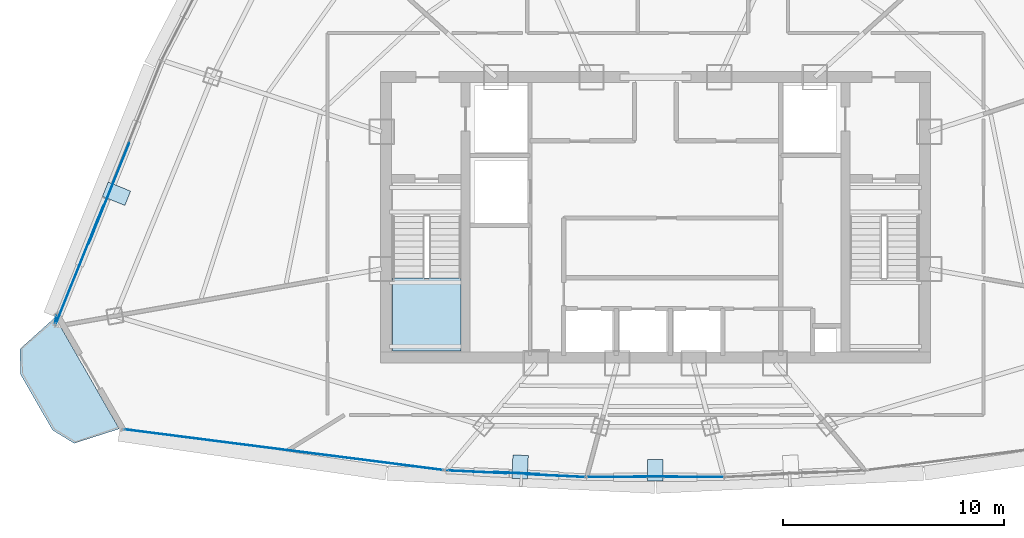
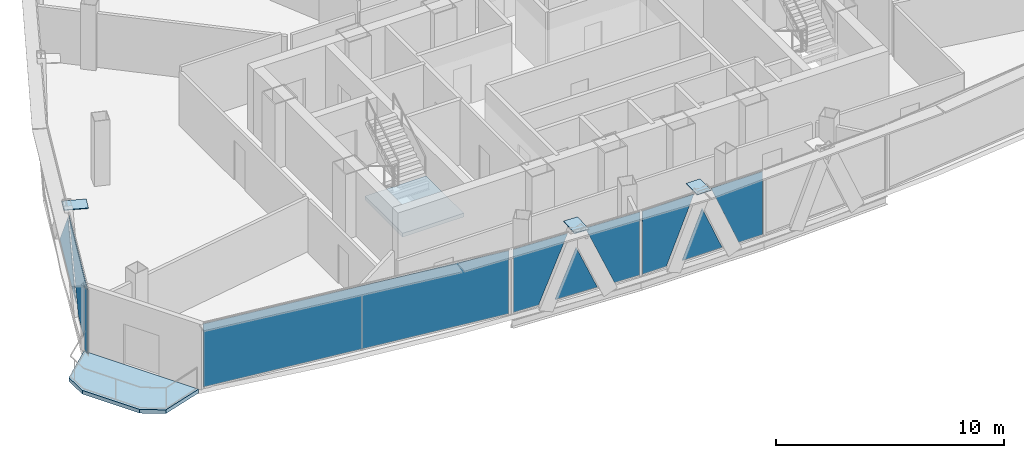
# One storey, part 22 of 30: 13 plates, 2 slabs, 6 elements without a shape of their own.
"""IFC4 building model written with IfcOpenShell, lengths in metres."""

from ifc_helpers import new_model, si_unit, direction, frame, origin, origin_2d, place, context, subcontext, project, spatial, polyline, rectangle, outline, extrude, source, transform, mapped, material, layer, layer_set, type_object, element, aggregate, save


model = new_model("IFC4")

# Units and contexts
model_context = context("Model", 3, precision=1e-05, world=origin(), true_north=direction((0.0, 1.0)))
body_context = subcontext(model_context, "Body", "Model", "MODEL_VIEW")
ifc_project = project(units=[si_unit("LENGTHUNIT", "METRE"), si_unit("AREAUNIT", "SQUARE_METRE"), si_unit("VOLUMEUNIT", "CUBIC_METRE"), si_unit("PLANEANGLEUNIT", "RADIAN"), si_unit("MASSUNIT", "GRAM", prefix="KILO"), si_unit("THERMODYNAMICTEMPERATUREUNIT", "KELVIN"), si_unit("POWERUNIT", "WATT")], contexts=[model_context])

# Site, building, storey
site_placement = place(None, origin())
site = spatial("IfcSite", under=ifc_project, at=site_placement, CompositionType="ELEMENT")
building_placement = place(site_placement, origin())
building = spatial("IfcBuilding", under=site, at=building_placement, Name="Yunzhuo Pagoda Commons", CompositionType="ELEMENT")
storey_placement = place(building_placement, frame((0.0, 0.0, 355.510009765625)))
storey = spatial("IfcBuildingStorey", under=building, at=storey_placement, Name="L89", CompositionType="ELEMENT", Elevation=355.510009765625)

# Curtain wall, plates
ifc_material_1 = material(Name="Anodized aluminium 6063-T6", Category="aluminium")
ifc_layer_1 = layer(ifc_material_1, 0.139892578125)
ifc_layer_set_1 = layer_set([ifc_layer_1], Name="Anodized aluminium 6063-T6")
curtain_wall_type = type_object("IfcCurtainWallType", Name="CW-HI High-Zone Ribbon Curtain Wall", PredefinedType="NOTDEFINED", material=ifc_layer_set_1)
curtain_wall_1_placement = place(storey_placement, origin())
curtain_wall_1 = element("IfcCurtainWall", 1, at=curtain_wall_1_placement, inside=storey, type_object=curtain_wall_type, Name="L89 curtain wall CW-L89-F1B2", PredefinedType="NOTDEFINED")
ifc_material_2 = material(Name="Tempered low-e double glazing", Category="glass")
ifc_layer_2 = layer(ifc_material_2, 0.02587890625)
ifc_layer_set_2 = layer_set([ifc_layer_2], Name="Tempered low-e double glazing")
plate_type_1 = type_object("IfcPlateType", Name="CW-HI-P Low-E Double Glazing 26", PredefinedType="CURTAIN_PANEL", material=ifc_layer_set_2)
plate_1_placement = place(storey_placement, frame((39.919189453125, 22.339599609375, 1.744873046875), z_axis=(-0.047859147719, -0.99885409444, 0.0), x_axis=(0.99885409444, -0.047859147719, 0.0)))
plate_1 = element("IfcPlate", 2, at=plate_1_placement, type_object=plate_type_1, Name="CW panel 1.1 lite 1", PredefinedType="CURTAIN_PANEL", context=body_context, shape_type="SweptSolid", body=[
    extrude(outline(polyline([(-1.34765625, -1.68994140625), (-0.0908203125, -1.68994140625), (1.34765625, 1.68994140625), (-1.34765625, 1.68994140625), (-1.34765625, -1.68994140625)])), origin(), (0.0, 0.0, 1.0), 0.028076171875),
])
plate_2_placement = place(storey_placement, frame((41.70263671875, 22.284423828125, 1.287353515625), z_axis=(-0.047859147719, -0.99885409444, 0.0), x_axis=(0.99885409444, -0.047859147719, 0.0)))
plate_2 = element("IfcPlate", 3, at=plate_2_placement, type_object=plate_type_1, Name="CW panel 1.1 lite 2", PredefinedType="CURTAIN_PANEL", context=body_context, shape_type="SweptSolid", body=[
    extrude(outline(polyline([(-1.048828125, -1.232421875), (1.048828125, -1.232421875), (0.0, 1.232421875), (-1.048828125, -1.232421875)])), origin(), (0.0, 0.0, 1.0), 0.028076171875),
])
plate_3_placement = place(storey_placement, frame((43.483154296875, 22.1689453125, 1.744873046875), z_axis=(-0.047859147719, -0.99885409444, 0.0), x_axis=(0.99885409444, -0.047859147719, 0.0)))
plate_3 = element("IfcPlate", 4, at=plate_3_placement, type_object=plate_type_1, Name="CW panel 1.1 lite 3", PredefinedType="CURTAIN_PANEL", context=body_context, shape_type="SweptSolid", body=[
    extrude(outline(polyline([(-1.34765625, 1.68994140625), (0.0908203125, -1.68994140625), (1.34765625, -1.68994140625), (1.34765625, 1.68994140625), (-1.34765625, 1.68994140625)])), origin(), (0.0, 0.0, 1.0), 0.028076171875),
])
aggregate(curtain_wall_1, [plate_1, plate_2, plate_3])

curtain_wall_2_placement = place(storey_placement, origin())
curtain_wall_2 = element("IfcCurtainWall", 5, at=curtain_wall_2_placement, inside=storey, type_object=curtain_wall_type, Name="L89 curtain wall CW-L89-F1B3", PredefinedType="NOTDEFINED")
plate_4_placement = place(storey_placement, frame((46.257080078125, 22.1015625, 1.744873046875), z_axis=(0.0, -1.0, 0.0), x_axis=(1.0, 0.0, 0.0)))
plate_4 = element("IfcPlate", 6, at=plate_4_placement, type_object=plate_type_1, Name="CW panel 1.1 lite 1", PredefinedType="CURTAIN_PANEL", context=body_context, shape_type="SweptSolid", body=[
    extrude(outline(polyline([(-1.30859375, -1.68994140625), (-0.09375, -1.68994140625), (1.30859375, 1.68994140625), (-1.30859375, 1.68994140625), (-1.30859375, -1.68994140625)])), origin(), (0.0, 0.0, 1.0), 0.028076171875),
])
plate_5_placement = place(storey_placement, frame((48.0, 22.1318359375, 1.276611328125), z_axis=(0.0, -1.0, 0.0), x_axis=(1.0, 0.0, 0.0)))
plate_5 = element("IfcPlate", 7, at=plate_5_placement, type_object=plate_type_1, Name="CW panel 1.1 lite 2", PredefinedType="CURTAIN_PANEL", context=body_context, shape_type="SweptSolid", body=[
    extrude(outline(polyline([(-1.013671875, -1.2216796875), (1.013671875, -1.2216796875), (0.0, 1.2216796875), (-1.013671875, -1.2216796875)])), origin(), (0.0, 0.0, 1.0), 0.028076171875),
])
plate_6_placement = place(storey_placement, frame((49.742919921875, 22.1015625, 1.744873046875), z_axis=(0.0, -1.0, 0.0), x_axis=(1.0, 0.0, 0.0)))
plate_6 = element("IfcPlate", 8, at=plate_6_placement, type_object=plate_type_1, Name="CW panel 1.1 lite 3", PredefinedType="CURTAIN_PANEL", context=body_context, shape_type="SweptSolid", body=[
    extrude(outline(polyline([(-1.30859375, 1.68994140625), (0.09375, -1.68994140625), (1.30859375, -1.68994140625), (1.30859375, 1.68994140625), (-1.30859375, 1.68994140625)])), origin(), (0.0, 0.0, 1.0), 0.028076171875),
])
aggregate(curtain_wall_2, [plate_4, plate_5, plate_6])

curtain_wall_3_placement = place(storey_placement, origin())
curtain_wall_3 = element("IfcCurtainWall", 9, at=curtain_wall_3_placement, inside=storey, type_object=curtain_wall_type, Name="L89 curtain wall CW-L89-F3B4", PredefinedType="NOTDEFINED")
plate_7_placement = place(storey_placement, frame((23.26708984375, 34.91796875, 1.482177734375), z_axis=(-0.92803921175, 0.372482511608, 0.0), x_axis=(-0.372482511608, -0.92803921175, 0.0)))
plate_7 = element("IfcPlate", 10, at=plate_7_placement, type_object=plate_type_1, Name="CW panel 1.1 lite 2", PredefinedType="CURTAIN_PANEL", context=body_context, shape_type="SweptSolid", body=[
    extrude(outline(polyline([(-2.47265625, -1.42724609375), (2.47265625, -1.42724609375), (0.0, 1.42724609375), (-2.47265625, -1.42724609375)])), origin(), (0.0, 0.0, 1.0), 0.028076171875),
])
plate_8_placement = place(storey_placement, frame((21.93798828125, 31.68701171875, 1.744873046875), z_axis=(-0.92803921175, 0.372482511608, 0.0), x_axis=(-0.372482511608, -0.92803921175, 0.0)))
plate_8 = element("IfcPlate", 11, at=plate_8_placement, type_object=plate_type_1, Name="CW panel 1.1 lite 3", PredefinedType="CURTAIN_PANEL", context=body_context, shape_type="SweptSolid", body=[
    extrude(outline(polyline([(-2.943115234375, 1.68994140625), (-0.01513671875, -1.68994140625), (2.943115234375, -1.68994140625), (2.943115234375, 1.68994140625), (-2.943115234375, 1.68994140625)])), origin(), (0.0, 0.0, 1.0), 0.028076171875),
])
aggregate(curtain_wall_3, [plate_7, plate_8])

# Slab
ifc_material_3 = material(Name="Concrete C40", Category="concrete")
ifc_layer_3 = layer(ifc_material_3, 0.199951171875)
ifc_layer_set_3 = layer_set([ifc_layer_3], Name="Concrete C40")
slab_type_1 = type_object("IfcSlabType", Name="SL-BAL Vertex Balcony Deck Slab 200", PredefinedType="FLOOR", material=ifc_layer_set_3)
slab_1_placement = place(storey_placement, frame((0.0, 0.0, -0.199951171875)))
element("IfcSlab", 12, at=slab_1_placement, inside=storey, type_object=slab_type_1, Name="L89 corner balcony V1", PredefinedType="FLOOR", context=body_context, shape_type="SweptSolid", body=[
    extrude(outline(polyline([(20.8232421875, 29.323974609375), (23.722412109375, 24.274658203125), (21.681640625, 23.62158203125), (20.703857421875, 24.219970703125), (19.25439453125, 26.74462890625), (19.23046875, 27.890625), (20.8232421875, 29.323974609375)])), origin(), (0.0, 0.0, 1.0), 0.199951171875),
])

# Stair, slab
stair_type = type_object("IfcStairType", Name="ST-C1 Core Smokeproof Stair ST1", PredefinedType="HALF_TURN_STAIR", material=ifc_material_3)
stair_placement = place(storey_placement, origin())
stair = element("IfcStair", 13, at=stair_placement, inside=storey, type_object=stair_type, Name="L89 Core smokeproof stair ST1", PredefinedType="HALF_TURN_STAIR")
ifc_layer_4 = layer(ifc_material_3, 0.199951171875)
ifc_layer_set_4 = layer_set([ifc_layer_4], Name="Concrete C40")
slab_type_2 = type_object("IfcSlabType", Name="SL-LND1 Stair Landing Slab 200", PredefinedType="LANDING", material=ifc_layer_set_4)
slab_2_placement = place(storey_placement, frame((0.0, 0.0, 1.675048828125)))
slab_2 = element("IfcSlab", 14, at=slab_2_placement, type_object=slab_type_2, Name="ST1 landing 1", PredefinedType="LANDING", context=body_context, shape_type="SweptSolid", body=[
    extrude(outline(polyline([(36.10009765625, 31.10009765625), (36.10009765625, 27.800048828125), (39.199951171875, 27.800048828125), (39.199951171875, 31.10009765625), (36.10009765625, 31.10009765625)])), origin(), (0.0, 0.0, 1.0), 0.199951171875),
])
aggregate(stair, [slab_2])

# Plates
ifc_material_4 = material(Name="Structural steel Q355B", Category="steel")
ifc_layer_5 = layer(ifc_material_4, 0.028076171875)
ifc_layer_set_5 = layer_set([ifc_layer_5], Name="Structural steel Q355B")
plate_type_2 = type_object("IfcPlateType", Name="SP-ND1 Lattice Node Cap Plate 800x500x28", PredefinedType="USERDEFINED", material=ifc_layer_set_5)
shared_shape_1 = source(origin(), body_context, "Body", "SweptSolid", [
    extrude(rectangle(XDim=0.699951171875, YDim=1.061279296875, at=origin_2d()), origin(), (0.0, 0.0, 1.0), 0.035888671875),
])
plate_9_placement = place(storey_placement, frame((41.87158203125, 22.552490234375, 3.4521484375), z_axis=(0.0, 0.0, 1.0), x_axis=(0.998854240665, -0.047856095812, 0.0)))
element("IfcPlate", 15, at=plate_9_placement, inside=storey, type_object=plate_type_2, Name="L89 setback lattice tie plate F1.1L", ObjectType="STIFFENER_PLATE", PredefinedType="USERDEFINED", context=body_context, shape_type="MappedRepresentation", body=[
    mapped(shared_shape_1, transform((0.0, 0.0, 0.0), scale=1.0)),
])
shared_shape_2 = source(origin(), body_context, "Body", "SweptSolid", [
    extrude(rectangle(XDim=0.699951171875, YDim=0.985595703125, at=origin_2d()), origin(), (0.0, 0.0, 1.0), 0.035888671875),
])
plate_10_placement = place(storey_placement, frame((48.0, 22.405517578125, 3.4521484375), z_axis=(0.0, 0.0, 1.0), x_axis=(1.0, 0.0, 0.0)))
element("IfcPlate", 16, at=plate_10_placement, inside=storey, type_object=plate_type_2, Name="L89 setback lattice tie plate F1.2L", ObjectType="STIFFENER_PLATE", PredefinedType="USERDEFINED", context=body_context, shape_type="MappedRepresentation", body=[
    mapped(shared_shape_2, transform((0.0, 0.0, 0.0), scale=1.0)),
])
shared_shape_3 = source(origin(), body_context, "Body", "SweptSolid", [
    extrude(rectangle(XDim=0.699951171875, YDim=1.09765625, at=origin_2d()), origin(), (0.0, 0.0, 1.0), 0.035888671875),
])
plate_11_placement = place(storey_placement, frame((23.599853515625, 34.918701171875, 3.4521484375), z_axis=(0.0, 0.0, 1.0), x_axis=(-0.372485720283, -0.928037923894, 0.0)))
element("IfcPlate", 17, at=plate_11_placement, inside=storey, type_object=plate_type_2, Name="L89 setback lattice tie plate F3.3L", ObjectType="STIFFENER_PLATE", PredefinedType="USERDEFINED", context=body_context, shape_type="MappedRepresentation", body=[
    mapped(shared_shape_3, transform((0.0, 0.0, 0.0), scale=1.0)),
])

# Curtain wall, plate
curtain_wall_4_placement = place(storey_placement, origin())
curtain_wall_4 = element("IfcCurtainWall", 18, at=curtain_wall_4_placement, inside=storey, type_object=curtain_wall_type, Name="L89 curtain wall CW-L89-F1B1", PredefinedType="NOTDEFINED")
shared_shape_4 = source(origin(), body_context, "Body", "SweptSolid", [
    extrude(rectangle(XDim=14.54931640625, YDim=0.028076171875, at=origin_2d()), origin(), (0.0, 0.0, 1.0), 3.3798828125),
])
plate_12_placement = place(storey_placement, frame((31.162353515625, 23.3310546875, 0.054931640625), z_axis=(0.0, 0.0, 1.0), x_axis=(0.991957593696, -0.126570661327, 0.0)))
plate_12 = element("IfcPlate", 19, at=plate_12_placement, type_object=plate_type_1, Name="CW panel 1.1", PredefinedType="CURTAIN_PANEL", context=body_context, shape_type="MappedRepresentation", body=[
    mapped(shared_shape_4, transform((0.0, 0.0, 0.0), scale=1.0)),
])
aggregate(curtain_wall_4, [plate_12])

curtain_wall_5_placement = place(storey_placement, origin())
curtain_wall_5 = element("IfcCurtainWall", 20, at=curtain_wall_5_placement, inside=storey, type_object=curtain_wall_type, Name="L89 curtain wall CW-L89-F3B5", PredefinedType="NOTDEFINED")
shared_shape_5 = source(origin(), body_context, "Body", "SweptSolid", [
    extrude(rectangle(XDim=0.380126953125, YDim=0.028076171875, at=origin_2d()), origin(), (0.0, 0.0, 1.0), 3.3798828125),
])
plate_13_placement = place(storey_placement, frame((20.85546875, 29.226318359375, 0.054931640625), z_axis=(0.0, 0.0, 1.0), x_axis=(0.150374017607, 0.988629179637, 0.0)))
plate_13 = element("IfcPlate", 21, at=plate_13_placement, type_object=plate_type_1, Name="CW panel 1.1", PredefinedType="CURTAIN_PANEL", context=body_context, shape_type="MappedRepresentation", body=[
    mapped(shared_shape_5, transform((0.0, 0.0, 0.0), scale=1.0)),
])
aggregate(curtain_wall_5, [plate_13])

save(model, "model.ifc")
